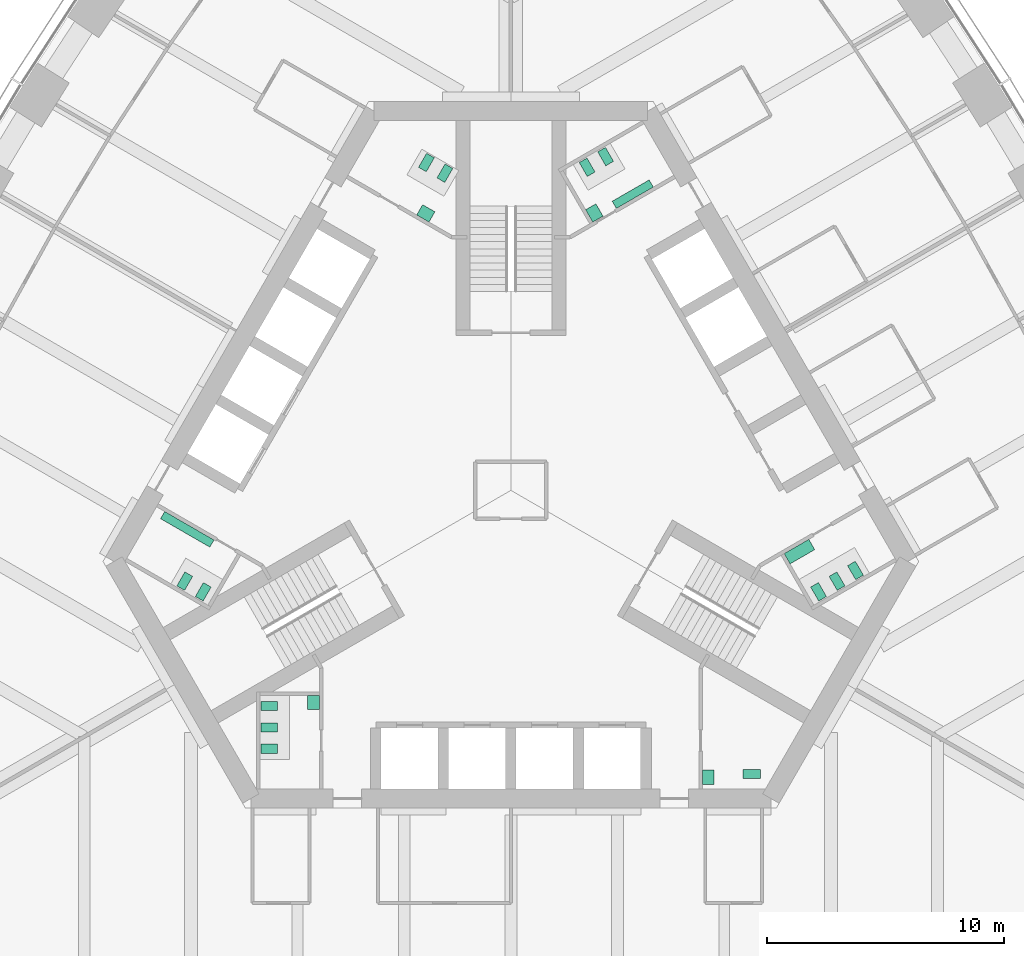
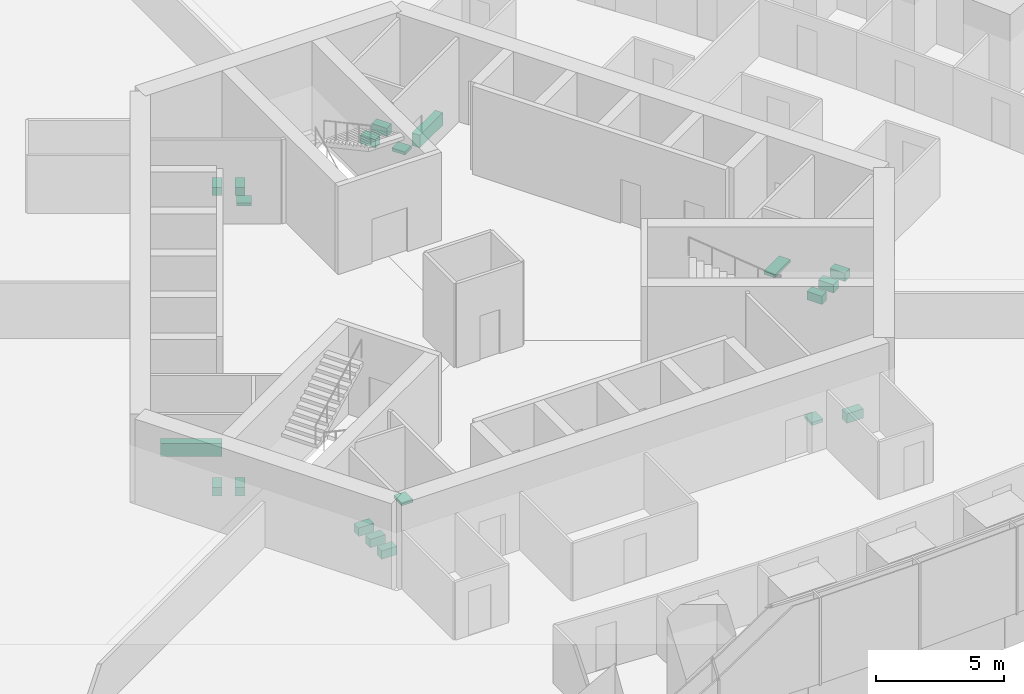
# One storey, part 18 of 19: 20 sanitary terminals.
"""IFC4 building model written with IfcOpenShell, lengths in metres."""

from ifc_helpers import new_model, si_unit, direction, frame, origin, place, context, subcontext, project, spatial, polyline, outline, extrude, material, type_object, element, save


model = new_model("IFC4")

# Units and contexts
model_context = context("Model", 3, precision=1e-05, world=origin(), true_north=direction((0.0, 1.0)))
body_context = subcontext(model_context, "Body", "Model", "MODEL_VIEW")
ifc_project = project(units=[si_unit("LENGTHUNIT", "METRE"), si_unit("AREAUNIT", "SQUARE_METRE"), si_unit("VOLUMEUNIT", "CUBIC_METRE"), si_unit("PLANEANGLEUNIT", "RADIAN"), si_unit("MASSUNIT", "GRAM", prefix="KILO")], contexts=[model_context])

# Site, building, storey
site_placement = place(None, origin())
site = spatial("IfcSite", under=ifc_project, at=site_placement, CompositionType="ELEMENT")
building_placement = place(site_placement, origin())
building = spatial("IfcBuilding", under=site, at=building_placement, Name="Trefoil Bronze Tower", CompositionType="ELEMENT")
storey_placement = place(building_placement, frame((0.0, 0.0, 107.300048828125)))
storey = spatial("IfcBuildingStorey", under=building, at=storey_placement, Name="L24", CompositionType="ELEMENT", Elevation=107.300048828125)

# Sanitary terminals
ifc_material_1 = material(Name="Vitreous china", Category="ceramic")
sanitary_terminal_type_1 = type_object("IfcSanitaryTerminalType", Name="Accessible WC pan", PredefinedType="TOILETPAN", material=ifc_material_1)
sanitary_terminal_1_placement = place(storey_placement, origin())
element("IfcSanitaryTerminal", 1, at=sanitary_terminal_1_placement, inside=storey, type_object=sanitary_terminal_type_1, Name="WC pan 1 Accessible WC L24", PredefinedType="TOILETPAN", context=body_context, shape_type="SweptSolid", body=[
    extrude(outline(polyline([(9.784912109375, -11.77001953125), (10.534912109375, -11.77001953125), (10.534912109375, -12.14990234375), (9.784912109375, -12.14990234375), (9.784912109375, -11.77001953125)])), origin(), (0.0, 0.0, 1.0), 0.449951171875),
])
ifc_material_2 = material(Name="Vitreous china", Category="ceramic")
sanitary_terminal_type_2 = type_object("IfcSanitaryTerminalType", Name="Accessible basin", PredefinedType="WASHHANDBASIN", material=ifc_material_2)
sanitary_terminal_2_placement = place(storey_placement, frame((0.0, 0.0, 0.64990234375)))
element("IfcSanitaryTerminal", 2, at=sanitary_terminal_2_placement, inside=storey, type_object=sanitary_terminal_type_2, Name="Wash basin Accessible WC L24", PredefinedType="WASHHANDBASIN", context=body_context, shape_type="SweptSolid", body=[
    extrude(outline(polyline([(8.074951171875, -11.800048828125), (8.574951171875, -11.800048828125), (8.574951171875, -12.39990234375), (8.074951171875, -12.39990234375), (8.074951171875, -11.800048828125)])), origin(), (0.0, 0.0, 1.0), 0.150146484375),
])
ifc_material_3 = material(Name="Vitreous china", Category="ceramic")
sanitary_terminal_type_3 = type_object("IfcSanitaryTerminalType", Name="Urinal range 3 urinals", PredefinedType="URINAL", material=ifc_material_3)
sanitary_terminal_3_placement = place(storey_placement, frame((0.0, 0.0, 0.39990234375)))
element("IfcSanitaryTerminal", 3, at=sanitary_terminal_3_placement, inside=storey, type_object=sanitary_terminal_type_3, Name="Urinal range WC (men) L24", PredefinedType="URINAL", context=body_context, shape_type="SweptSolid", body=[
    extrude(outline(polyline([(4.449462890625, 11.89306640625), (4.274658203125, 12.1962890625), (5.83349609375, 13.09619140625), (6.00830078125, 12.793212890625), (4.449462890625, 11.89306640625)])), origin(), (0.0, 0.0, 1.0), 0.60009765625),
])
ifc_material_4 = material(Name="Vitreous china", Category="ceramic")
sanitary_terminal_type_4 = type_object("IfcSanitaryTerminalType", Name="Urinal range 4 urinals", PredefinedType="URINAL", material=ifc_material_4)
sanitary_terminal_4_placement = place(storey_placement, frame((0.0, 0.0, 0.39990234375)))
element("IfcSanitaryTerminal", 4, at=sanitary_terminal_4_placement, inside=storey, type_object=sanitary_terminal_type_4, Name="Urinal range WC (men) L24", PredefinedType="URINAL", context=body_context, shape_type="SweptSolid", body=[
    extrude(outline(polyline([(-12.524658203125, -2.09326171875), (-12.699462890625, -2.396240234375), (-14.778076171875, -1.1962890625), (-14.60302734375, -0.89306640625), (-12.524658203125, -2.09326171875)])), origin(), (0.0, 0.0, 1.0), 0.60009765625),
])
ifc_material_5 = material(Name="Solid surface vanity", Category="plastic")
sanitary_terminal_type_5 = type_object("IfcSanitaryTerminalType", Name="Vanity unit 1 basins", PredefinedType="WASHHANDBASIN", material=ifc_material_5)
sanitary_terminal_5_placement = place(storey_placement, frame((0.0, 0.0, 0.75)))
element("IfcSanitaryTerminal", 5, at=sanitary_terminal_5_placement, inside=storey, type_object=sanitary_terminal_type_5, Name="Vanity unit WC (men) L24", PredefinedType="WASHHANDBASIN", context=body_context, shape_type="SweptSolid", body=[
    extrude(outline(polyline([(3.45361328125, 11.318115234375), (3.153564453125, 11.837890625), (3.586669921875, 12.087890625), (3.88671875, 11.568115234375), (3.45361328125, 11.318115234375)])), origin(), (0.0, 0.0, 1.0), 0.14990234375),
])
sanitary_terminal_6_placement = place(storey_placement, frame((0.0, 0.0, 0.75)))
element("IfcSanitaryTerminal", 6, at=sanitary_terminal_6_placement, inside=storey, type_object=sanitary_terminal_type_5, Name="Vanity unit WC (women) L24", PredefinedType="WASHHANDBASIN", context=body_context, shape_type="SweptSolid", body=[
    extrude(outline(polyline([(-3.45361328125, 11.318115234375), (-3.20361328125, 11.751220703125), (-3.72314453125, 12.05126953125), (-3.97314453125, 11.6181640625), (-3.45361328125, 11.318115234375)])), origin(), (0.0, 0.0, 1.0), 0.14990234375),
])
sanitary_terminal_7_placement = place(storey_placement, frame((0.0, 0.0, 0.75)))
element("IfcSanitaryTerminal", 7, at=sanitary_terminal_7_placement, inside=storey, type_object=sanitary_terminal_type_5, Name="Vanity unit WC (women) L24", PredefinedType="WASHHANDBASIN", context=body_context, shape_type="SweptSolid", body=[
    extrude(outline(polyline([(-8.074951171875, -8.64990234375), (-8.574951171875, -8.64990234375), (-8.574951171875, -9.25), (-8.074951171875, -9.25), (-8.074951171875, -8.64990234375)])), origin(), (0.0, 0.0, 1.0), 0.14990234375),
])
ifc_material_6 = material(Name="Solid surface vanity", Category="plastic")
sanitary_terminal_type_6 = type_object("IfcSanitaryTerminalType", Name="Vanity unit 2 basins", PredefinedType="WASHHANDBASIN", material=ifc_material_6)
sanitary_terminal_8_placement = place(storey_placement, frame((0.0, 0.0, 0.75)))
element("IfcSanitaryTerminal", 8, at=sanitary_terminal_8_placement, inside=storey, type_object=sanitary_terminal_type_6, Name="Vanity unit WC (women) L24", PredefinedType="WASHHANDBASIN", context=body_context, shape_type="SweptSolid", body=[
    extrude(outline(polyline([(11.528564453125, -2.668212890625), (11.778564453125, -3.10107421875), (12.81787109375, -2.501220703125), (12.56787109375, -2.068115234375), (11.528564453125, -2.668212890625)])), origin(), (0.0, 0.0, 1.0), 0.14990234375),
])
ifc_material_7 = material(Name="Vitreous china", Category="ceramic")
sanitary_terminal_type_7 = type_object("IfcSanitaryTerminalType", Name="WC pan", PredefinedType="TOILETPAN", material=ifc_material_7)
sanitary_terminal_9_placement = place(storey_placement, origin())
element("IfcSanitaryTerminal", 9, at=sanitary_terminal_9_placement, inside=storey, type_object=sanitary_terminal_type_7, Name="WC pan 1 WC (women) L24", PredefinedType="TOILETPAN", context=body_context, shape_type="SweptSolid", body=[
    extrude(outline(polyline([(12.643798828125, -4.07958984375), (12.98388671875, -4.66845703125), (13.31298828125, -4.478515625), (12.972900390625, -3.8896484375), (12.643798828125, -4.07958984375)])), origin(), (0.0, 0.0, 1.0), 0.39990234375),
])
sanitary_terminal_10_placement = place(storey_placement, origin())
element("IfcSanitaryTerminal", 10, at=sanitary_terminal_10_placement, inside=storey, type_object=sanitary_terminal_type_7, Name="WC pan 2 WC (women) L24", PredefinedType="TOILETPAN", context=body_context, shape_type="SweptSolid", body=[
    extrude(outline(polyline([(13.423095703125, -3.629638671875), (13.76318359375, -4.218505859375), (14.09228515625, -4.028564453125), (13.752197265625, -3.439697265625), (13.423095703125, -3.629638671875)])), origin(), (0.0, 0.0, 1.0), 0.39990234375),
])
sanitary_terminal_11_placement = place(storey_placement, origin())
element("IfcSanitaryTerminal", 11, at=sanitary_terminal_11_placement, inside=storey, type_object=sanitary_terminal_type_7, Name="WC pan 3 WC (women) L24", PredefinedType="TOILETPAN", context=body_context, shape_type="SweptSolid", body=[
    extrude(outline(polyline([(14.20263671875, -3.1796875), (14.542724609375, -3.7685546875), (14.871826171875, -3.57861328125), (14.53173828125, -2.98974609375), (14.20263671875, -3.1796875)])), origin(), (0.0, 0.0, 1.0), 0.39990234375),
])
sanitary_terminal_12_placement = place(storey_placement, origin())
element("IfcSanitaryTerminal", 12, at=sanitary_terminal_12_placement, inside=storey, type_object=sanitary_terminal_type_7, Name="WC pan 1 WC (men) L24", PredefinedType="TOILETPAN", context=body_context, shape_type="SweptSolid", body=[
    extrude(outline(polyline([(3.2216796875, 13.23974609375), (2.8818359375, 13.82861328125), (3.2109375, 14.0185546875), (3.55078125, 13.4296875), (3.2216796875, 13.23974609375)])), origin(), (0.0, 0.0, 1.0), 0.39990234375),
])
sanitary_terminal_13_placement = place(storey_placement, origin())
element("IfcSanitaryTerminal", 13, at=sanitary_terminal_13_placement, inside=storey, type_object=sanitary_terminal_type_7, Name="WC pan 2 WC (men) L24", PredefinedType="TOILETPAN", context=body_context, shape_type="SweptSolid", body=[
    extrude(outline(polyline([(4.001220703125, 13.689697265625), (3.6611328125, 14.278564453125), (3.990234375, 14.468505859375), (4.330322265625, 13.879638671875), (4.001220703125, 13.689697265625)])), origin(), (0.0, 0.0, 1.0), 0.39990234375),
])
sanitary_terminal_14_placement = place(storey_placement, origin())
element("IfcSanitaryTerminal", 14, at=sanitary_terminal_14_placement, inside=storey, type_object=sanitary_terminal_type_7, Name="WC pan 1 WC (women) L24", PredefinedType="TOILETPAN", context=body_context, shape_type="SweptSolid", body=[
    extrude(outline(polyline([(-2.788818359375, 12.98974609375), (-2.44873046875, 13.57861328125), (-2.77783203125, 13.7685546875), (-3.117919921875, 13.1796875), (-2.788818359375, 12.98974609375)])), origin(), (0.0, 0.0, 1.0), 0.39990234375),
])
sanitary_terminal_15_placement = place(storey_placement, origin())
element("IfcSanitaryTerminal", 15, at=sanitary_terminal_15_placement, inside=storey, type_object=sanitary_terminal_type_7, Name="WC pan 2 WC (women) L24", PredefinedType="TOILETPAN", context=body_context, shape_type="SweptSolid", body=[
    extrude(outline(polyline([(-3.568115234375, 13.439697265625), (-3.228271484375, 14.028564453125), (-3.557373046875, 14.218505859375), (-3.897216796875, 13.629638671875), (-3.568115234375, 13.439697265625)])), origin(), (0.0, 0.0, 1.0), 0.39990234375),
])
sanitary_terminal_16_placement = place(storey_placement, origin())
element("IfcSanitaryTerminal", 16, at=sanitary_terminal_16_placement, inside=storey, type_object=sanitary_terminal_type_7, Name="WC pan 1 WC (men) L24", PredefinedType="TOILETPAN", context=body_context, shape_type="SweptSolid", body=[
    extrude(outline(polyline([(-12.643798828125, -4.07958984375), (-12.98388671875, -4.66845703125), (-13.31298828125, -4.478515625), (-12.972900390625, -3.8896484375), (-12.643798828125, -4.07958984375)])), origin(), (0.0, 0.0, 1.0), 0.39990234375),
])
sanitary_terminal_17_placement = place(storey_placement, origin())
element("IfcSanitaryTerminal", 17, at=sanitary_terminal_17_placement, inside=storey, type_object=sanitary_terminal_type_7, Name="WC pan 2 WC (men) L24", PredefinedType="TOILETPAN", context=body_context, shape_type="SweptSolid", body=[
    extrude(outline(polyline([(-13.423095703125, -3.629638671875), (-13.76318359375, -4.218505859375), (-14.09228515625, -4.028564453125), (-13.752197265625, -3.439697265625), (-13.423095703125, -3.629638671875)])), origin(), (0.0, 0.0, 1.0), 0.39990234375),
])
sanitary_terminal_18_placement = place(storey_placement, origin())
element("IfcSanitaryTerminal", 18, at=sanitary_terminal_18_placement, inside=storey, type_object=sanitary_terminal_type_7, Name="WC pan 1 WC (women) L24", PredefinedType="TOILETPAN", context=body_context, shape_type="SweptSolid", body=[
    extrude(outline(polyline([(-9.85498046875, -8.909912109375), (-10.534912109375, -8.909912109375), (-10.534912109375, -9.2900390625), (-9.85498046875, -9.2900390625), (-9.85498046875, -8.909912109375)])), origin(), (0.0, 0.0, 1.0), 0.39990234375),
])
sanitary_terminal_19_placement = place(storey_placement, origin())
element("IfcSanitaryTerminal", 19, at=sanitary_terminal_19_placement, inside=storey, type_object=sanitary_terminal_type_7, Name="WC pan 2 WC (women) L24", PredefinedType="TOILETPAN", context=body_context, shape_type="SweptSolid", body=[
    extrude(outline(polyline([(-9.85498046875, -9.81005859375), (-10.534912109375, -9.81005859375), (-10.534912109375, -10.18994140625), (-9.85498046875, -10.18994140625), (-9.85498046875, -9.81005859375)])), origin(), (0.0, 0.0, 1.0), 0.39990234375),
])
sanitary_terminal_20_placement = place(storey_placement, origin())
element("IfcSanitaryTerminal", 20, at=sanitary_terminal_20_placement, inside=storey, type_object=sanitary_terminal_type_7, Name="WC pan 3 WC (women) L24", PredefinedType="TOILETPAN", context=body_context, shape_type="SweptSolid", body=[
    extrude(outline(polyline([(-9.85498046875, -10.7099609375), (-10.534912109375, -10.7099609375), (-10.534912109375, -11.090087890625), (-9.85498046875, -11.090087890625), (-9.85498046875, -10.7099609375)])), origin(), (0.0, 0.0, 1.0), 0.39990234375),
])

save(model, "model.ifc")
